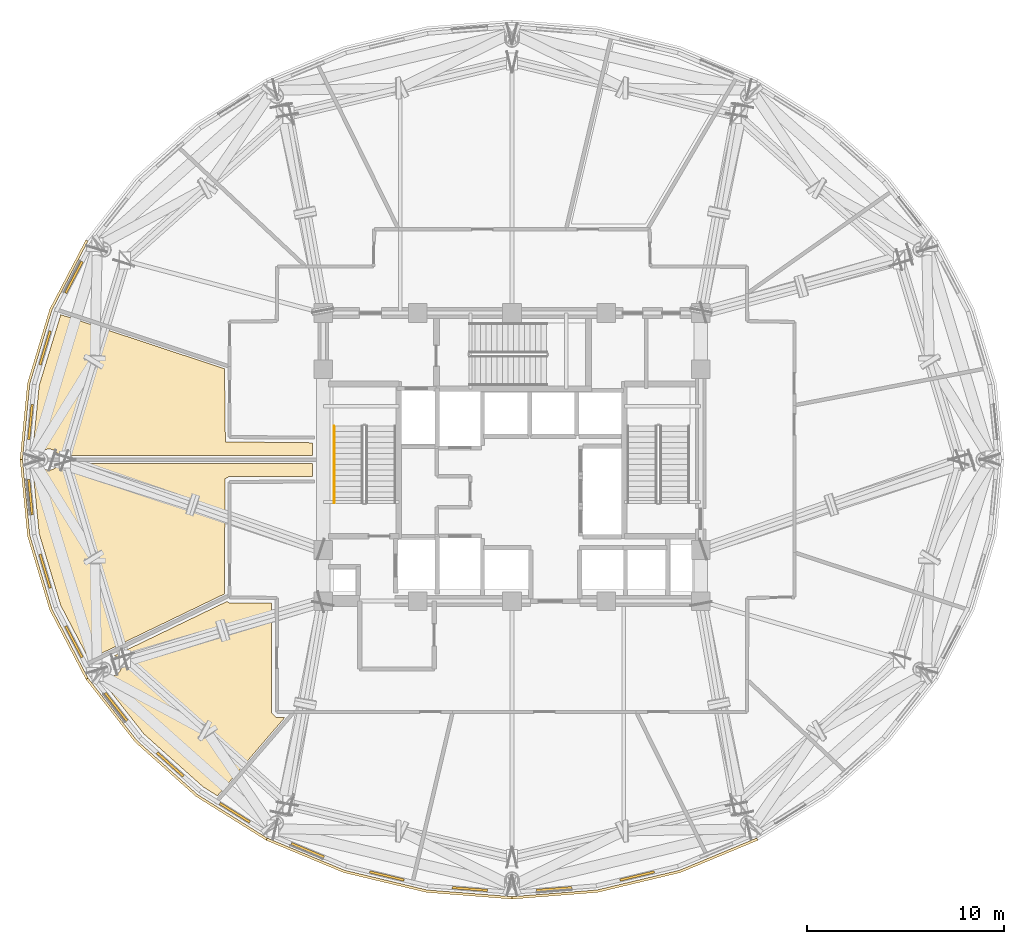
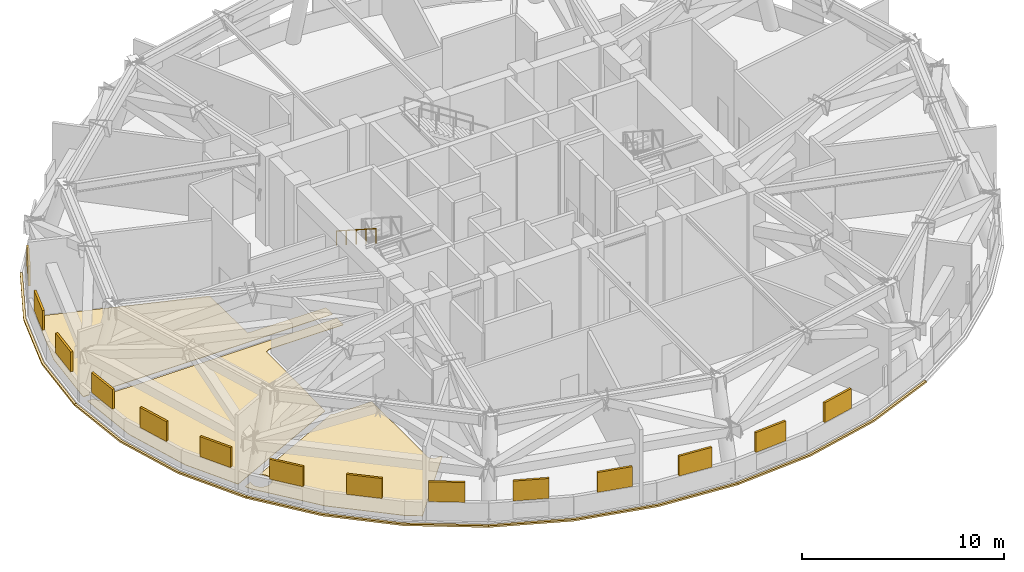
# One storey, part 10 of 13: 14 shading devices, 8 coverings, 1 railing.
"""IFC4 building model written with IfcOpenShell, lengths in metres."""

from ifc_helpers import new_model, si_unit, direction, frame, origin, origin_2d, place, context, subcontext, project, spatial, polyline, rectangle, outline, extrude, material, layer, layer_set, type_object, element, save


model = new_model("IFC4")

# Units and contexts
model_context = context("Model", 3, precision=1e-05, world=origin(), true_north=direction((0.0, 1.0)))
body_context = subcontext(model_context, "Body", "Model", "MODEL_VIEW")
ifc_project = project(units=[si_unit("LENGTHUNIT", "METRE"), si_unit("AREAUNIT", "SQUARE_METRE"), si_unit("VOLUMEUNIT", "CUBIC_METRE"), si_unit("PLANEANGLEUNIT", "RADIAN"), si_unit("MASSUNIT", "GRAM", prefix="KILO")], contexts=[model_context])

# Site, building, storey
site_placement = place(None, origin())
site = spatial("IfcSite", under=ifc_project, at=site_placement, CompositionType="ELEMENT")
building_placement = place(site_placement, origin())
building = spatial("IfcBuilding", under=site, at=building_placement, Name="Vantalir Tower", CompositionType="ELEMENT")
storey_placement = place(building_placement, frame((0.0, 0.0, 175.949951171875)))
storey = spatial("IfcBuildingStorey", under=building, at=storey_placement, Name="L44", CompositionType="ELEMENT", Elevation=175.949951171875)

# Coverings
ifc_material_1 = material(Name="Anodised champagne aluminium sill fascia", Category="aluminium")
ifc_layer_1 = layer(ifc_material_1, 0.125)
ifc_layer_set_1 = layer_set([ifc_layer_1], Name="Anodised champagne aluminium sill fascia")
covering_type_1 = type_object("IfcCoveringType", Name="COV-SLAB-FASCIA-125", PredefinedType="CLADDING", material=ifc_layer_set_1)
covering_1_placement = place(storey_placement, frame((0.0, 0.0, -0.179931640625)))
element("IfcCovering", 1, at=covering_1_placement, inside=storey, type_object=covering_type_1, Name="L44 Perimeter Slab-Edge Sill Fascia 06", PredefinedType="CLADDING", context=body_context, shape_type="SweptSolid", body=[
    extrude(outline(polyline([(9.827880859375, 36.177978515625), (7.98388671875, 32.64697265625), (6.85498046875, 28.882080078125), (6.47509765625, 25.0), (6.60009765625, 25.0), (6.97802734375, 28.861083984375), (8.10205078125, 32.60400390625), (9.93603515625, 36.115966796875), (9.827880859375, 36.177978515625)])), origin(), (0.0, 0.0, 1.0), 0.10498046875),
])
covering_2_placement = place(storey_placement, frame((0.0, 0.0, -0.179931640625)))
element("IfcCovering", 2, at=covering_2_placement, inside=storey, type_object=covering_type_1, Name="L44 Perimeter Slab-Edge Sill Fascia 07", PredefinedType="CLADDING", context=body_context, shape_type="SweptSolid", body=[
    extrude(outline(polyline([(6.47509765625, 25.0), (6.85498046875, 21.117919921875), (7.98388671875, 17.35302734375), (9.827880859375, 13.821044921875), (9.93603515625, 13.884033203125), (8.10205078125, 17.39599609375), (6.97802734375, 21.138916015625), (6.60009765625, 25.0), (6.47509765625, 25.0)])), origin(), (0.0, 0.0, 1.0), 0.10498046875),
])
covering_3_placement = place(storey_placement, frame((0.0, 0.0, -0.179931640625)))
element("IfcCovering", 3, at=covering_3_placement, inside=storey, type_object=covering_type_1, Name="L44 Perimeter Slab-Edge Sill Fascia 08", PredefinedType="CLADDING", context=body_context, shape_type="SweptSolid", body=[
    extrude(outline(polyline([(9.827880859375, 13.821044921875), (12.330078125, 10.62890625), (15.4140625, 7.8740234375), (18.987060546875, 5.637939453125), (19.050048828125, 5.7470703125), (15.4951171875, 7.968994140625), (12.425048828125, 10.7099609375), (9.93603515625, 13.884033203125), (9.827880859375, 13.821044921875)])), origin(), (0.0, 0.0, 1.0), 0.10498046875),
])
covering_4_placement = place(storey_placement, frame((0.0, 0.0, -0.179931640625)))
element("IfcCovering", 4, at=covering_4_placement, inside=storey, type_object=covering_type_1, Name="L44 Perimeter Slab-Edge Sill Fascia 09", PredefinedType="CLADDING", context=body_context, shape_type="SweptSolid", body=[
    extrude(outline(polyline([(18.987060546875, 5.637939453125), (22.94091796875, 3.990966796875), (27.154052734375, 2.98291015625), (31.5, 2.64306640625), (31.5, 2.76806640625), (27.176025390625, 3.10595703125), (22.98388671875, 4.10888671875), (19.050048828125, 5.7470703125), (18.987060546875, 5.637939453125)])), origin(), (0.0, 0.0, 1.0), 0.10498046875),
])
covering_5_placement = place(storey_placement, frame((0.0, 0.0, -0.179931640625)))
element("IfcCovering", 5, at=covering_5_placement, inside=storey, type_object=covering_type_1, Name="L44 Perimeter Slab-Edge Sill Fascia 10", PredefinedType="CLADDING", context=body_context, shape_type="SweptSolid", body=[
    extrude(outline(polyline([(31.5, 2.64306640625), (35.845947265625, 2.98291015625), (40.05908203125, 3.990966796875), (44.012939453125, 5.637939453125), (43.949951171875, 5.7470703125), (40.01611328125, 4.10888671875), (35.823974609375, 3.10595703125), (31.5, 2.76806640625), (31.5, 2.64306640625)])), origin(), (0.0, 0.0, 1.0), 0.10498046875),
])
ifc_material_2 = material(Name="Tropical teak timber and terrazzo floor finish", Category="wood")
ifc_layer_2 = layer(ifc_material_2, 0.02490234375)
ifc_layer_set_2 = layer_set([ifc_layer_2], Name="Tropical teak timber and terrazzo floor finish")
covering_type_2 = type_object("IfcCoveringType", Name="COV-TIMBER-STONE-25", PredefinedType="FLOORING", material=ifc_layer_set_2)
covering_6_placement = place(storey_placement, origin())
element("IfcCovering", 6, at=covering_6_placement, inside=storey, type_object=covering_type_2, Name="L44 Domestic Cold Water Booster Plant Room Floor Finish", PredefinedType="FLOORING", context=body_context, shape_type="SweptSolid", body=[
    extrude(outline(polyline([(7.10107421875, 25.199951171875), (7.4580078125, 25.2041015625), (7.47998046875, 25.2509765625), (7.507080078125, 25.2958984375), (7.5380859375, 25.337890625), (7.572998046875, 25.376953125), (7.612060546875, 25.412109375), (7.654052734375, 25.443115234375), (7.698974609375, 25.469970703125), (7.74609375, 25.491943359375), (7.794921875, 25.510009765625), (7.845947265625, 25.52294921875), (7.89794921875, 25.530029296875), (7.949951171875, 25.532958984375), (8.001953125, 25.530029296875), (8.053955078125, 25.52294921875), (8.10498046875, 25.510009765625), (8.154052734375, 25.491943359375), (8.200927734375, 25.469970703125), (8.24609375, 25.443115234375), (8.2880859375, 25.412109375), (8.326904296875, 25.376953125), (8.362060546875, 25.337890625), (8.39306640625, 25.2958984375), (8.419921875, 25.2509765625), (8.444091796875, 25.199951171875), (21.364990234375, 25.199951171875), (21.364990234375, 25.85205078125), (16.9208984375, 25.902099609375), (16.8759765625, 29.6201171875), (8.549072265625, 32.3720703125), (7.450927734375, 28.76806640625), (7.10107421875, 25.199951171875)])), origin(), (0.0, 0.0, 1.0), 0.025146484375),
])
covering_7_placement = place(storey_placement, origin())
element("IfcCovering", 7, at=covering_7_placement, inside=storey, type_object=covering_type_2, Name="L44 West Air Handling Plant Room Floor Finish", PredefinedType="FLOORING", context=body_context, shape_type="SweptSolid", body=[
    extrude(outline(polyline([(9.97998046875, 14.8359375), (16.875, 18.1640625), (16.89990234375, 24.01708984375), (17.136962890625, 24.14990234375), (21.364990234375, 24.14990234375), (21.364990234375, 24.800048828125), (8.44189453125, 24.7958984375), (8.419921875, 24.7490234375), (8.39306640625, 24.7041015625), (8.362060546875, 24.662109375), (8.326904296875, 24.623046875), (8.2880859375, 24.587890625), (8.24609375, 24.556884765625), (8.200927734375, 24.530029296875), (8.154052734375, 24.508056640625), (8.10498046875, 24.489990234375), (8.053955078125, 24.47705078125), (8.001953125, 24.469970703125), (7.949951171875, 24.467041015625), (7.89794921875, 24.469970703125), (7.845947265625, 24.47705078125), (7.794921875, 24.489990234375), (7.74609375, 24.508056640625), (7.698974609375, 24.530029296875), (7.654052734375, 24.556884765625), (7.612060546875, 24.587890625), (7.572998046875, 24.623046875), (7.5380859375, 24.662109375), (7.507080078125, 24.7041015625), (7.47998046875, 24.7490234375), (7.4560546875, 24.800048828125), (7.10107421875, 24.800048828125), (7.450927734375, 21.23193359375), (8.548095703125, 17.577880859375), (9.97998046875, 14.8359375)])), origin(), (0.0, 0.0, 1.0), 0.025146484375),
])
covering_8_placement = place(storey_placement, origin())
element("IfcCovering", 8, at=covering_8_placement, inside=storey, type_object=covering_type_2, Name="L44 HV Transformer Electrical Plant Room Floor Finish", PredefinedType="FLOORING", context=body_context, shape_type="SweptSolid", body=[
    extrude(outline(polyline([(16.514892578125, 7.89697265625), (19.952880859375, 11.89111328125), (19.488037109375, 11.89208984375), (19.27587890625, 12.114013671875), (19.27490234375, 17.699951171875), (17.1240234375, 17.699951171875), (17.009033203125, 17.783935546875), (11.279052734375, 15.01904296875), (11.30908203125, 15.008056640625), (11.35595703125, 14.986083984375), (11.40087890625, 14.958984375), (11.443115234375, 14.927978515625), (11.48193359375, 14.89306640625), (11.51708984375, 14.85400390625), (11.548095703125, 14.81201171875), (11.574951171875, 14.76708984375), (11.596923828125, 14.719970703125), (11.614990234375, 14.6708984375), (11.6279296875, 14.6201171875), (11.635009765625, 14.568115234375), (11.637939453125, 14.51611328125), (11.635009765625, 14.464111328125), (11.6279296875, 14.412109375), (11.614990234375, 14.361083984375), (11.596923828125, 14.31201171875), (11.574951171875, 14.264892578125), (11.548095703125, 14.219970703125), (11.51708984375, 14.177978515625), (11.48193359375, 14.138916015625), (11.443115234375, 14.10400390625), (11.40087890625, 14.072998046875), (11.35595703125, 14.0458984375), (11.30908203125, 14.02392578125), (11.260009765625, 14.006103515625), (11.208984375, 13.992919921875), (11.156982421875, 13.986083984375), (11.10498046875, 13.98291015625), (11.052978515625, 13.986083984375), (11.0009765625, 13.992919921875), (10.949951171875, 14.006103515625), (10.90087890625, 14.02392578125), (10.85400390625, 14.0458984375), (10.80908203125, 14.072998046875), (10.76708984375, 14.10400390625), (10.72802734375, 14.138916015625), (10.693115234375, 14.177978515625), (10.662109375, 14.219970703125), (10.635009765625, 14.264892578125), (10.613037109375, 14.31201171875), (10.594970703125, 14.361083984375), (10.58203125, 14.412109375), (10.574951171875, 14.464111328125), (10.572021484375, 14.51611328125), (10.574951171875, 14.568115234375), (10.58203125, 14.6201171875), (10.594970703125, 14.6708984375), (10.60302734375, 14.693115234375), (10.166015625, 14.48193359375), (10.341064453125, 14.14501953125), (12.777099609375, 11.0400390625), (15.783935546875, 8.35400390625), (16.514892578125, 7.89697265625)])), origin(), (0.0, 0.0, 1.0), 0.025146484375),
])

# Railing
ifc_material_3 = material(Name="Brushed stainless steel tubular handrail", Category="steel")
railing_type = type_object("IfcRailingType", Name="RAL-HANDRAIL-900", PredefinedType="HANDRAIL", material=ifc_material_3)
railing_placement = place(storey_placement, frame((22.449951171875, 26.7099609375, 2.880126953125)))
element("IfcRailing", 9, at=railing_placement, inside=storey, type_object=railing_type, Name="L44 ST1 stair handrail 2", PredefinedType="HANDRAIL", context=body_context, shape_type="SweptSolid", body=[
    extrude(rectangle(XDim=0.048095703125, YDim=0.048095703125, at=origin_2d()), frame((0.0, 0.0, 0.8759765625), z_axis=(0.0, -0.841171666519, 0.540768182723), x_axis=(1.0, 0.0, 0.0)), (0.0, 0.0, 1.0), 4.66015625),
    extrude(rectangle(XDim=0.0419921875, YDim=0.0419921875, at=origin_2d()), origin(), (0.0, 0.0, 1.0), 0.851806640625),
    extrude(rectangle(XDim=0.0419921875, YDim=0.0419921875, at=origin_2d()), frame((0.0, -0.97998046875, 0.6298828125)), (0.0, 0.0, 1.0), 0.851806640625),
    extrude(rectangle(XDim=0.0419921875, YDim=0.0419921875, at=origin_2d()), frame((0.0, -1.9599609375, 1.260009765625)), (0.0, 0.0, 1.0), 0.851806640625),
    extrude(rectangle(XDim=0.0419921875, YDim=0.0419921875, at=origin_2d()), frame((0.0, -2.93994140625, 1.89013671875)), (0.0, 0.0, 1.0), 0.851806640625),
    extrude(rectangle(XDim=0.0419921875, YDim=0.0419921875, at=origin_2d()), frame((0.0, -3.919921875, 2.52001953125)), (0.0, 0.0, 1.0), 0.851806640625),
])

# Shading devices
ifc_material_4 = material(Name="Champagne-silver PVDF aluminium storm louvre", Category="aluminium")
ifc_layer_3 = layer(ifc_material_4, 0.1201171875)
ifc_layer_set_3 = layer_set([ifc_layer_3], Name="Champagne-silver PVDF aluminium storm louvre")
shading_device_type = type_object("IfcShadingDeviceType", Name="SHD-STORM-LOUVRE", PredefinedType="JALOUSIE", material=ifc_layer_set_3)
for number, where, z_axis, x_axis, name in (
    (10, (9.217041015625, 34.26806640625, 1.1162109375), (0.0, 0.0, 1.0), (-0.463342435996, -0.886179319893, 0.0), "L44 Acoustic Storm Louvre R16"),
    (11, (7.751953125, 30.676025390625, 1.1162109375), (0.0, 0.0, 1.0), (-0.28756111942, -0.957762289192, 0.0), "L44 Acoustic Storm Louvre R17"),
    (12, (7.008056640625, 26.910888671875, 1.1162109375), (0.0, 0.0, 1.0), (-0.097652379501, -0.995220584985, 0.0), "L44 Acoustic Storm Louvre R18"),
    (13, (7.008056640625, 23.089111328125, 1.1162109375), (0.0, 0.0, 1.0), (0.097652379501, -0.995220584985, 0.0), "L44 Acoustic Storm Louvre R19"),
    (14, (7.751953125, 19.323974609375, 1.1162109375), (0.0, 0.0, 1.0), (0.28756111942, -0.957762289192, 0.0), "L44 Acoustic Storm Louvre R20"),
    (15, (9.217041015625, 15.73193359375, 1.1162109375), (0.0, 0.0, 1.0), (0.463342435996, -0.886179319893, 0.0), "L44 Acoustic Storm Louvre R21"),
    (16, (11.360107421875, 12.422119140625, 1.1162109375), (0.0, 0.0, 1.0), (0.617585109014, -0.78650405792, 0.0), "L44 Acoustic Storm Louvre R22"),
    (17, (14.114990234375, 9.493896484375, 1.1162109375), (0.0, 0.0, 1.0), (0.746313000263, -0.665595151454, 0.0), "L44 Acoustic Storm Louvre R23"),
    (18, (17.39794921875, 7.0380859375, 1.1162109375), (0.0, 0.0, 1.0), (0.848159063587, -0.529741637834, 0.0), "L44 Acoustic Storm Louvre R24"),
    (19, (21.110107421875, 5.1259765625, 1.1162109375), (0.0, 0.0, 1.0), (0.923290683488, -0.384101957537, 0.0), "L44 Acoustic Storm Louvre R25"),
    (20, (25.135986328125, 3.818115234375, 1.1162109375), (0.0, 0.0, 1.0), (0.972609793841, -0.23244394792, 0.0), "L44 Acoustic Storm Louvre R26"),
    (21, (29.35693359375, 3.155029296875, 1.1162109375), (0.0, 0.0, 1.0), (0.996977292027, -0.077693495115, 0.0), "L44 Acoustic Storm Louvre R27"),
    (22, (33.64306640625, 3.155029296875, 1.1162109375), (0.0, 0.0, 1.0), (0.996977292027, 0.077693495115, 0.0), "L44 Acoustic Storm Louvre R28"),
    (23, (37.864013671875, 3.818115234375, 1.1162109375), (0.0, 0.0, 1.0), (0.972609793841, 0.23244394792, 0.0), "L44 Acoustic Storm Louvre R29"),
):
    element("IfcShadingDevice", number, at=place(storey_placement, frame(where, z_axis=z_axis, x_axis=x_axis)), inside=storey, type_object=shading_device_type, Name=name, PredefinedType="JALOUSIE", context=body_context, shape_type="SweptSolid", body=[
        extrude(rectangle(XDim=1.800048828125, YDim=0.1201171875, at=origin_2d()), origin(), (0.0, 0.0, 1.0), 1.199951171875),
    ])

save(model, "model.ifc")
